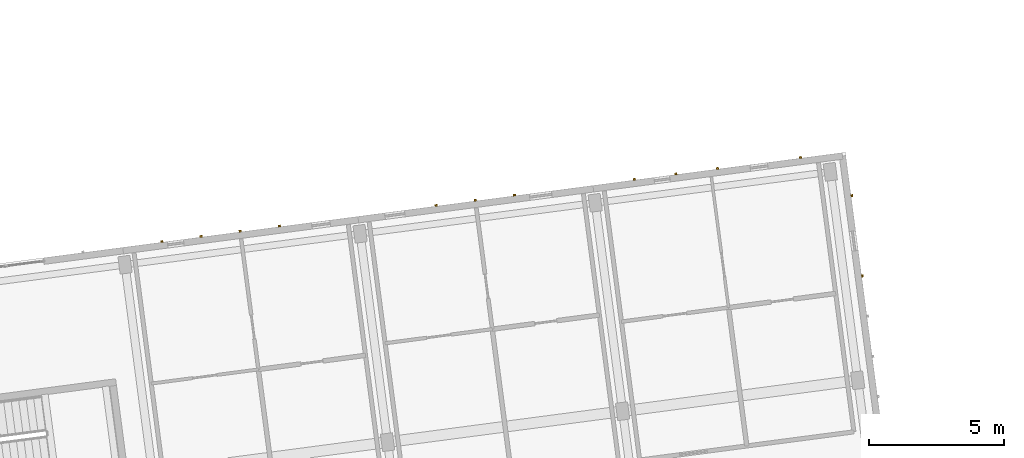
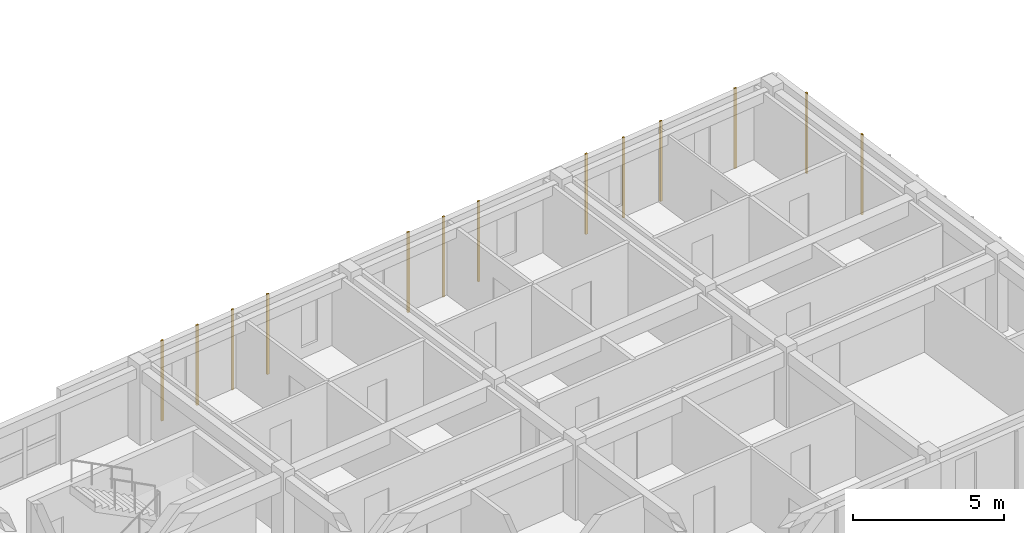
# One storey, part 27 of 34: 13 coverings.
"""IFC4 building model written with IfcOpenShell, lengths in metres."""

from ifc_helpers import new_model, si_unit, direction, frame, origin, origin_2d, place, context, subcontext, project, spatial, rectangle, extrude, material, layer, layer_set, type_object, element, save


model = new_model("IFC4")

# Units and contexts
model_context = context("Model", 3, precision=1e-05, world=origin(), true_north=direction((0.0, 1.0)))
body_context = subcontext(model_context, "Body", "Model", "MODEL_VIEW")
ifc_project = project(units=[si_unit("LENGTHUNIT", "METRE"), si_unit("AREAUNIT", "SQUARE_METRE"), si_unit("VOLUMEUNIT", "CUBIC_METRE"), si_unit("PLANEANGLEUNIT", "RADIAN"), si_unit("MASSUNIT", "GRAM", prefix="KILO")], contexts=[model_context])

# Site, building, storey
site_placement = place(None, origin())
site = spatial("IfcSite", under=ifc_project, at=site_placement, CompositionType="ELEMENT")
building_placement = place(site_placement, origin())
building = spatial("IfcBuilding", under=site, at=building_placement, Name="Kestramere Prow Commons", CompositionType="ELEMENT")
storey_placement = place(building_placement, frame((0.0, 0.0, 34.39990234375)))
storey = spatial("IfcBuildingStorey", under=building, at=storey_placement, Name="L10", CompositionType="ELEMENT", Elevation=34.39990234375)

# Coverings
ifc_material = material(Name="Weathered Zinc-Titanium Standing-Seam Cladding")
ifc_layer = layer(ifc_material, 0.074951171875)
ifc_layer_set = layer_set([ifc_layer], Name="Weathered Zinc-Titanium Standing-Seam Cladding")
covering_type = type_object("IfcCoveringType", Name="COV-CLAD-SEAM", PredefinedType="CLADDING", material=ifc_layer_set)
for number, where, z_axis, x_axis, name in (
    (1, (36.12939453125, 96.137939453125, -0.25), (0.0, 0.0, 1.0), (0.991444861374, 0.13052619222, 0.0), "EW-A-L10-N-3 Standing-Seam Rib 1"),
    (2, (37.58349609375, 96.329345703125, -0.25), (0.0, 0.0, 1.0), (0.991444861374, 0.13052619222, 0.0), "EW-A-L10-N-3 Standing-Seam Rib 2"),
    (3, (39.03759765625, 96.520751953125, -0.25), (0.0, 0.0, 1.0), (0.991444861374, 0.13052619222, 0.0), "EW-A-L10-N-3 Standing-Seam Rib 3"),
    (4, (40.49169921875, 96.712158203125, -0.25), (0.0, 0.0, 1.0), (0.991444861374, 0.13052619222, 0.0), "EW-A-L10-N-3 Standing-Seam Rib 4"),
    (5, (46.30810546875, 97.47802734375, -0.25), (0.0, 0.0, 1.0), (0.991444861374, 0.13052619222, 0.0), "EW-A-L10-N-4 Standing-Seam Rib 2"),
    (6, (47.76220703125, 97.66943359375, -0.25), (0.0, 0.0, 1.0), (0.991444861374, 0.13052619222, 0.0), "EW-A-L10-N-4 Standing-Seam Rib 3"),
    (7, (49.21630859375, 97.86083984375, -0.25), (0.0, 0.0, 1.0), (0.991444861374, 0.13052619222, 0.0), "EW-A-L10-N-4 Standing-Seam Rib 4"),
    (8, (53.66552734375, 98.446533203125, -0.25), (0.0, 0.0, 1.0), (0.991444861374, 0.13052619222, 0.0), "EW-A-L10-N-5 Standing-Seam Rib 1"),
    (9, (55.206298828125, 98.6494140625, -0.25), (0.0, 0.0, 1.0), (0.991444861374, 0.13052619222, 0.0), "EW-A-L10-N-5 Standing-Seam Rib 2"),
    (10, (56.747314453125, 98.852294921875, -0.25), (0.0, 0.0, 1.0), (0.991444861374, 0.13052619222, 0.0), "EW-A-L10-N-5 Standing-Seam Rib 3"),
    (11, (59.828857421875, 99.258056640625, -0.25), (0.0, 0.0, 1.0), (0.991444861374, 0.13052619222, 0.0), "EW-A-L10-N-5 Standing-Seam Rib 5"),
    (12, (61.7373046875, 97.8388671875, -0.25), (0.0, 0.0, 1.0), (0.13052619222, -0.991444861374, 0.0), "EW-A-L10-EAV Standing-Seam Rib 1"),
    (13, (62.129638671875, 94.857421875, -0.25), (0.0, 0.0, 1.0), (0.13052619222, -0.991444861374, 0.0), "EW-A-L10-EAV Standing-Seam Rib 3"),
):
    element("IfcCovering", number, at=place(storey_placement, frame(where, z_axis=z_axis, x_axis=x_axis)), inside=storey, type_object=covering_type, Name=name, PredefinedType="CLADDING", context=body_context, shape_type="SweptSolid", body=[
        extrude(rectangle(XDim=0.0849609375, YDim=0.06494140625, at=origin_2d()), origin(), (0.0, 0.0, 1.0), 3.25),
    ])

save(model, "model.ifc")
